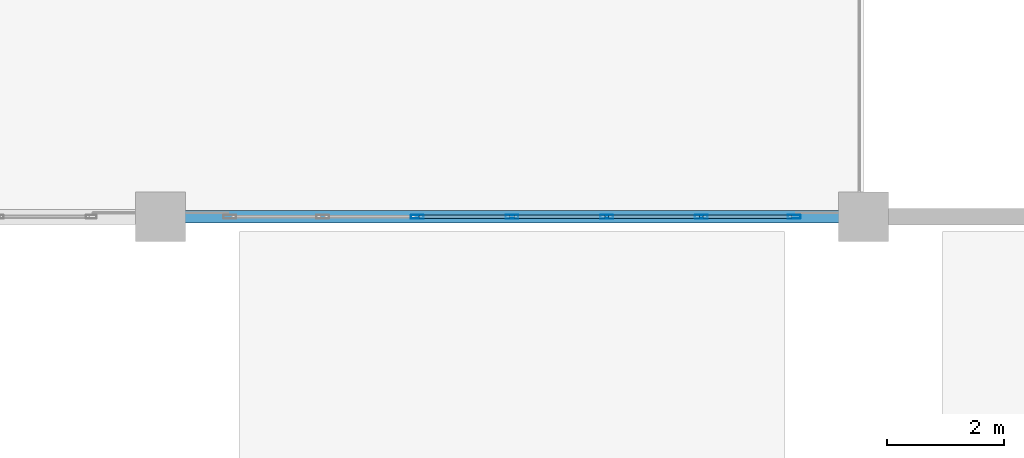
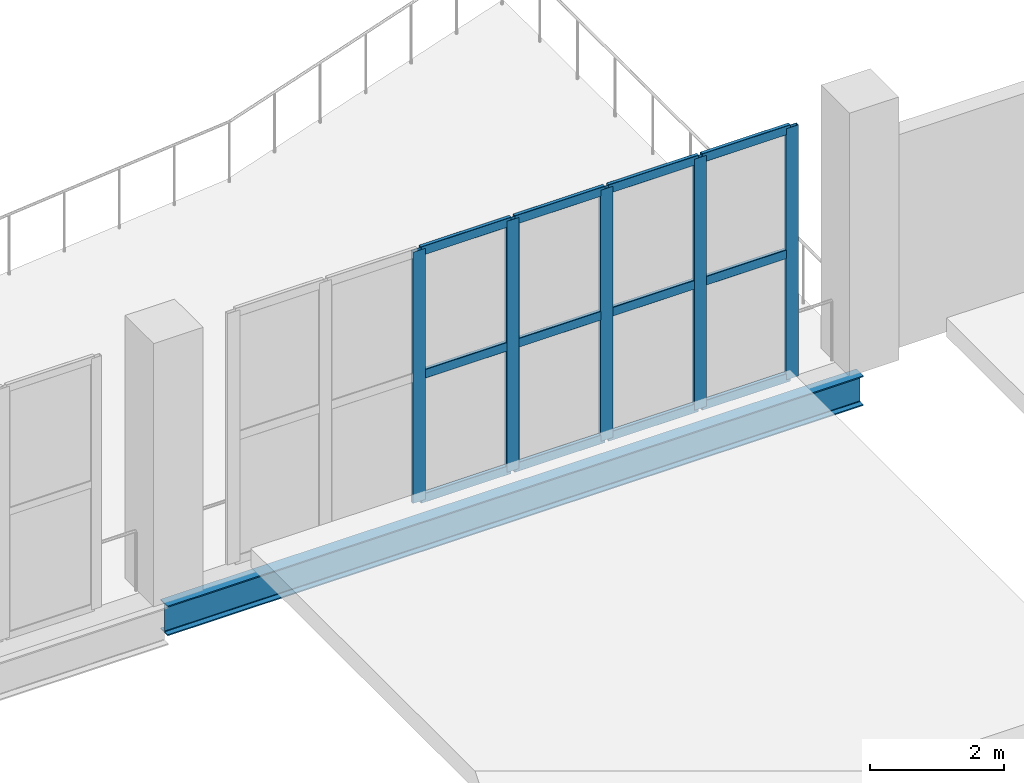
# One storey, part 17 of 49: 17 members, 1 beam, 1 element without a shape of its own.
"""IFC4 building model written with IfcOpenShell, lengths in metres."""

from ifc_helpers import new_model, si_unit, direction, frame, origin, origin_2d, place, context, subcontext, project, spatial, hollow_rectangle, i_section, extrude, material, layer, layer_set, material_profile, profile_set, type_object, element, aggregate, save


model = new_model("IFC4")

# Units and contexts
model_context = context("Model", 3, precision=1e-05, world=origin(), true_north=direction((0.0, 1.0)))
body_context = subcontext(model_context, "Body", "Model", "MODEL_VIEW")
ifc_project = project(units=[si_unit("LENGTHUNIT", "METRE"), si_unit("AREAUNIT", "SQUARE_METRE"), si_unit("VOLUMEUNIT", "CUBIC_METRE"), si_unit("PLANEANGLEUNIT", "RADIAN"), si_unit("MASSUNIT", "GRAM", prefix="KILO")], contexts=[model_context])

# Site, building, storey
site_placement = place(None, origin())
site = spatial("IfcSite", under=ifc_project, at=site_placement, CompositionType="ELEMENT")
building_placement = place(site_placement, origin())
building = spatial("IfcBuilding", under=site, at=building_placement, Name="Brinegate Civic Arena", CompositionType="ELEMENT")
storey_placement = place(building_placement, frame((0.0, 0.0, 24.60009765625)))
storey = spatial("IfcBuildingStorey", under=building, at=storey_placement, Name="L05", CompositionType="ELEMENT", Elevation=24.60009765625)

# Curtain wall, members
ifc_material_1 = material(Name="Marine grade aluminium", Category="aluminium")
ifc_layer = layer(ifc_material_1, 0.199951171875, Name="Marine grade aluminium")
ifc_layer_set = layer_set([ifc_layer], Name="Marine grade aluminium")
curtain_wall_type = type_object("IfcCurtainWallType", Name="CW-BOWL-GLAZED-01", PredefinedType="USERDEFINED", material=ifc_layer_set)
curtain_wall_placement = place(storey_placement, origin())
curtain_wall = element("IfcCurtainWall", 1, at=curtain_wall_placement, inside=storey, type_object=curtain_wall_type, Name="Curtain Wall CWA-168", ObjectType="GLAZED CURTAIN WALL", PredefinedType="USERDEFINED")
ifc_material_profile_1 = material_profile(ifc_material_1, hollow_rectangle(XDim=0.06494140625, YDim=0.219970703125, WallThickness=0.006103515625, InnerFilletRadius=0.00390625, OuterFilletRadius=0.008056640625, at=origin_2d()), Name="MUL65X220")
ifc_profile_set_1 = profile_set([ifc_material_profile_1], Name="Marine grade aluminium")
member_type_1 = type_object("IfcMemberType", Name="CW-MULLION-65X220", PredefinedType="MULLION", material=ifc_profile_set_1)
member_1_placement = place(storey_placement, frame((112.383544921875, 10.0, 0.0), z_axis=(0.0, 0.0, 1.0), x_axis=(0.0, 1.0, 0.0)))
member_1 = element("IfcMember", 2, at=member_1_placement, type_object=member_type_1, Name="CWA-168 mullion 3", PredefinedType="MULLION", context=body_context, shape_type="SweptSolid", body=[
    extrude(hollow_rectangle(XDim=0.06494140625, YDim=0.219970703125, WallThickness=0.006103515625, InnerFilletRadius=0.00390625, OuterFilletRadius=0.008056640625, at=origin_2d()), origin(), (0.0, 0.0, 1.0), 4.579833984375),
])
member_2_placement = place(storey_placement, frame((114.0, 10.0, 0.0), z_axis=(0.0, 0.0, 1.0), x_axis=(0.0, 1.0, 0.0)))
member_2 = element("IfcMember", 3, at=member_2_placement, type_object=member_type_1, Name="CWA-168 mullion 4", PredefinedType="MULLION", context=body_context, shape_type="SweptSolid", body=[
    extrude(hollow_rectangle(XDim=0.06494140625, YDim=0.219970703125, WallThickness=0.006103515625, InnerFilletRadius=0.00390625, OuterFilletRadius=0.008056640625, at=origin_2d()), origin(), (0.0, 0.0, 1.0), 4.579833984375),
])
member_3_placement = place(storey_placement, frame((115.616455078125, 10.0, 0.0), z_axis=(0.0, 0.0, 1.0), x_axis=(0.0, 1.0, 0.0)))
member_3 = element("IfcMember", 4, at=member_3_placement, type_object=member_type_1, Name="CWA-168 mullion 5", PredefinedType="MULLION", context=body_context, shape_type="SweptSolid", body=[
    extrude(hollow_rectangle(XDim=0.06494140625, YDim=0.219970703125, WallThickness=0.006103515625, InnerFilletRadius=0.00390625, OuterFilletRadius=0.008056640625, at=origin_2d()), origin(), (0.0, 0.0, 1.0), 4.579833984375),
])
member_4_placement = place(storey_placement, frame((117.232666015625, 10.0, 0.0), z_axis=(0.0, 0.0, 1.0), x_axis=(0.0, 1.0, 0.0)))
member_4 = element("IfcMember", 5, at=member_4_placement, type_object=member_type_1, Name="CWA-168 mullion 6", PredefinedType="MULLION", context=body_context, shape_type="SweptSolid", body=[
    extrude(hollow_rectangle(XDim=0.06494140625, YDim=0.219970703125, WallThickness=0.006103515625, InnerFilletRadius=0.00390625, OuterFilletRadius=0.008056640625, at=origin_2d()), origin(), (0.0, 0.0, 1.0), 4.579833984375),
])
member_5_placement = place(storey_placement, frame((118.81640625, 10.0, 0.0), z_axis=(0.0, 0.0, 1.0), x_axis=(0.0, 1.0, 0.0)))
member_5 = element("IfcMember", 6, at=member_5_placement, type_object=member_type_1, Name="CWA-168 mullion 7", PredefinedType="MULLION", context=body_context, shape_type="SweptSolid", body=[
    extrude(hollow_rectangle(XDim=0.06494140625, YDim=0.219970703125, WallThickness=0.006103515625, InnerFilletRadius=0.00390625, OuterFilletRadius=0.008056640625, at=origin_2d()), origin(), (0.0, 0.0, 1.0), 4.579833984375),
])
ifc_material_profile_2 = material_profile(ifc_material_1, hollow_rectangle(XDim=0.06494140625, YDim=0.1650390625, WallThickness=0.0048828125, InnerFilletRadius=0.00390625, OuterFilletRadius=0.008056640625, at=origin_2d()), Name="TRN65X165")
ifc_profile_set_2 = profile_set([ifc_material_profile_2], Name="Marine grade aluminium")
member_type_2 = type_object("IfcMemberType", Name="CW-TRANSOM-65X165", PredefinedType="USERDEFINED", material=ifc_profile_set_2)
member_6_placement = place(storey_placement, frame((112.416259765625, 10.0, 0.032470703125), z_axis=(1.0, 0.0, 0.0), x_axis=(0.0, 1.0, 0.0)))
member_6 = element("IfcMember", 7, at=member_6_placement, type_object=member_type_2, Name="CWA-168 transom 3.1", ObjectType="TRANSOM", PredefinedType="USERDEFINED", context=body_context, shape_type="SweptSolid", body=[
    extrude(hollow_rectangle(XDim=0.06494140625, YDim=0.1650390625, WallThickness=0.0048828125, InnerFilletRadius=0.00390625, OuterFilletRadius=0.008056640625, at=origin_2d()), origin(), (0.0, 0.0, 1.0), 1.55126953125),
])
member_7_placement = place(storey_placement, frame((112.416259765625, 10.0, 2.289794921875), z_axis=(1.0, 0.0, 0.0), x_axis=(0.0, 1.0, 0.0)))
member_7 = element("IfcMember", 8, at=member_7_placement, type_object=member_type_2, Name="CWA-168 transom 3.2", ObjectType="TRANSOM", PredefinedType="USERDEFINED", context=body_context, shape_type="SweptSolid", body=[
    extrude(hollow_rectangle(XDim=0.06494140625, YDim=0.1650390625, WallThickness=0.0048828125, InnerFilletRadius=0.00390625, OuterFilletRadius=0.008056640625, at=origin_2d()), origin(), (0.0, 0.0, 1.0), 1.55126953125),
])
member_8_placement = place(storey_placement, frame((112.416259765625, 10.0, 4.54736328125), z_axis=(1.0, 0.0, 0.0), x_axis=(0.0, 1.0, 0.0)))
member_8 = element("IfcMember", 9, at=member_8_placement, type_object=member_type_2, Name="CWA-168 transom 3.3", ObjectType="TRANSOM", PredefinedType="USERDEFINED", context=body_context, shape_type="SweptSolid", body=[
    extrude(hollow_rectangle(XDim=0.06494140625, YDim=0.1650390625, WallThickness=0.0048828125, InnerFilletRadius=0.00390625, OuterFilletRadius=0.008056640625, at=origin_2d()), origin(), (0.0, 0.0, 1.0), 1.55126953125),
])
member_9_placement = place(storey_placement, frame((114.032470703125, 10.0, 0.032470703125), z_axis=(1.0, 0.0, 0.0), x_axis=(0.0, 1.0, 0.0)))
member_9 = element("IfcMember", 10, at=member_9_placement, type_object=member_type_2, Name="CWA-168 transom 4.1", ObjectType="TRANSOM", PredefinedType="USERDEFINED", context=body_context, shape_type="SweptSolid", body=[
    extrude(hollow_rectangle(XDim=0.06494140625, YDim=0.1650390625, WallThickness=0.0048828125, InnerFilletRadius=0.00390625, OuterFilletRadius=0.008056640625, at=origin_2d()), origin(), (0.0, 0.0, 1.0), 1.55126953125),
])
member_10_placement = place(storey_placement, frame((114.032470703125, 10.0, 2.289794921875), z_axis=(1.0, 0.0, 0.0), x_axis=(0.0, 1.0, 0.0)))
member_10 = element("IfcMember", 11, at=member_10_placement, type_object=member_type_2, Name="CWA-168 transom 4.2", ObjectType="TRANSOM", PredefinedType="USERDEFINED", context=body_context, shape_type="SweptSolid", body=[
    extrude(hollow_rectangle(XDim=0.06494140625, YDim=0.1650390625, WallThickness=0.0048828125, InnerFilletRadius=0.00390625, OuterFilletRadius=0.008056640625, at=origin_2d()), origin(), (0.0, 0.0, 1.0), 1.55126953125),
])
member_11_placement = place(storey_placement, frame((114.032470703125, 10.0, 4.54736328125), z_axis=(1.0, 0.0, 0.0), x_axis=(0.0, 1.0, 0.0)))
member_11 = element("IfcMember", 12, at=member_11_placement, type_object=member_type_2, Name="CWA-168 transom 4.3", ObjectType="TRANSOM", PredefinedType="USERDEFINED", context=body_context, shape_type="SweptSolid", body=[
    extrude(hollow_rectangle(XDim=0.06494140625, YDim=0.1650390625, WallThickness=0.0048828125, InnerFilletRadius=0.00390625, OuterFilletRadius=0.008056640625, at=origin_2d()), origin(), (0.0, 0.0, 1.0), 1.55126953125),
])
member_12_placement = place(storey_placement, frame((115.64892578125, 10.0, 0.032470703125), z_axis=(1.0, 0.0, 0.0), x_axis=(0.0, 1.0, 0.0)))
member_12 = element("IfcMember", 13, at=member_12_placement, type_object=member_type_2, Name="CWA-168 transom 5.1", ObjectType="TRANSOM", PredefinedType="USERDEFINED", context=body_context, shape_type="SweptSolid", body=[
    extrude(hollow_rectangle(XDim=0.06494140625, YDim=0.1650390625, WallThickness=0.0048828125, InnerFilletRadius=0.00390625, OuterFilletRadius=0.008056640625, at=origin_2d()), origin(), (0.0, 0.0, 1.0), 1.55126953125),
])
member_13_placement = place(storey_placement, frame((115.64892578125, 10.0, 2.289794921875), z_axis=(1.0, 0.0, 0.0), x_axis=(0.0, 1.0, 0.0)))
member_13 = element("IfcMember", 14, at=member_13_placement, type_object=member_type_2, Name="CWA-168 transom 5.2", ObjectType="TRANSOM", PredefinedType="USERDEFINED", context=body_context, shape_type="SweptSolid", body=[
    extrude(hollow_rectangle(XDim=0.06494140625, YDim=0.1650390625, WallThickness=0.0048828125, InnerFilletRadius=0.00390625, OuterFilletRadius=0.008056640625, at=origin_2d()), origin(), (0.0, 0.0, 1.0), 1.55126953125),
])
member_14_placement = place(storey_placement, frame((115.64892578125, 10.0, 4.54736328125), z_axis=(1.0, 0.0, 0.0), x_axis=(0.0, 1.0, 0.0)))
member_14 = element("IfcMember", 15, at=member_14_placement, type_object=member_type_2, Name="CWA-168 transom 5.3", ObjectType="TRANSOM", PredefinedType="USERDEFINED", context=body_context, shape_type="SweptSolid", body=[
    extrude(hollow_rectangle(XDim=0.06494140625, YDim=0.1650390625, WallThickness=0.0048828125, InnerFilletRadius=0.00390625, OuterFilletRadius=0.008056640625, at=origin_2d()), origin(), (0.0, 0.0, 1.0), 1.55126953125),
])
member_15_placement = place(storey_placement, frame((117.26513671875, 10.0, 0.032470703125), z_axis=(1.0, 0.0, 0.0), x_axis=(0.0, 1.0, 0.0)))
member_15 = element("IfcMember", 16, at=member_15_placement, type_object=member_type_2, Name="CWA-168 transom 6.1", ObjectType="TRANSOM", PredefinedType="USERDEFINED", context=body_context, shape_type="SweptSolid", body=[
    extrude(hollow_rectangle(XDim=0.06494140625, YDim=0.1650390625, WallThickness=0.0048828125, InnerFilletRadius=0.00390625, OuterFilletRadius=0.008056640625, at=origin_2d()), origin(), (0.0, 0.0, 1.0), 1.518798828125),
])
member_16_placement = place(storey_placement, frame((117.26513671875, 10.0, 2.289794921875), z_axis=(1.0, 0.0, 0.0), x_axis=(0.0, 1.0, 0.0)))
member_16 = element("IfcMember", 17, at=member_16_placement, type_object=member_type_2, Name="CWA-168 transom 6.2", ObjectType="TRANSOM", PredefinedType="USERDEFINED", context=body_context, shape_type="SweptSolid", body=[
    extrude(hollow_rectangle(XDim=0.06494140625, YDim=0.1650390625, WallThickness=0.0048828125, InnerFilletRadius=0.00390625, OuterFilletRadius=0.008056640625, at=origin_2d()), origin(), (0.0, 0.0, 1.0), 1.518798828125),
])
member_17_placement = place(storey_placement, frame((117.26513671875, 10.0, 4.54736328125), z_axis=(1.0, 0.0, 0.0), x_axis=(0.0, 1.0, 0.0)))
member_17 = element("IfcMember", 18, at=member_17_placement, type_object=member_type_2, Name="CWA-168 transom 6.3", ObjectType="TRANSOM", PredefinedType="USERDEFINED", context=body_context, shape_type="SweptSolid", body=[
    extrude(hollow_rectangle(XDim=0.06494140625, YDim=0.1650390625, WallThickness=0.0048828125, InnerFilletRadius=0.00390625, OuterFilletRadius=0.008056640625, at=origin_2d()), origin(), (0.0, 0.0, 1.0), 1.518798828125),
])
aggregate(curtain_wall, [member_1, member_2, member_3, member_4, member_5, member_6, member_7, member_8, member_9, member_10, member_11, member_12, member_13, member_14, member_15, member_16, member_17])

# Beam
ifc_material_2 = material(Name="Steel S355", Category="steel")
ifc_material_profile_3 = material_profile(ifc_material_2, i_section(OverallWidth=0.2119140625, OverallDepth=0.5439453125, WebThickness=0.012939453125, FlangeThickness=0.02099609375, FilletRadius=0.01611328125, at=origin_2d()), Name="W530X123")
ifc_profile_set_3 = profile_set([ifc_material_profile_3], Name="Steel S355")
beam_type = type_object("IfcBeamType", Name="SPANDREL-W530X123", PredefinedType="SPANDREL", material=ifc_profile_set_3)
beam_placement = place(storey_placement, frame((108.0, 10.0, -0.60205078125), z_axis=(1.0, 0.0, 0.0), x_axis=(0.0, 1.0, 0.0)))
element("IfcBeam", 19, at=beam_placement, inside=storey, type_object=beam_type, Name="Floor Girder BM-L05-GX-09-01", PredefinedType="SPANDREL", context=body_context, shape_type="SweptSolid", body=[
    extrude(i_section(OverallWidth=0.2119140625, OverallDepth=0.5439453125, WebThickness=0.012939453125, FlangeThickness=0.02099609375, FilletRadius=0.01611328125, at=origin_2d()), origin(), (0.0, 0.0, 1.0), 12.0),
])

save(model, "model.ifc")
